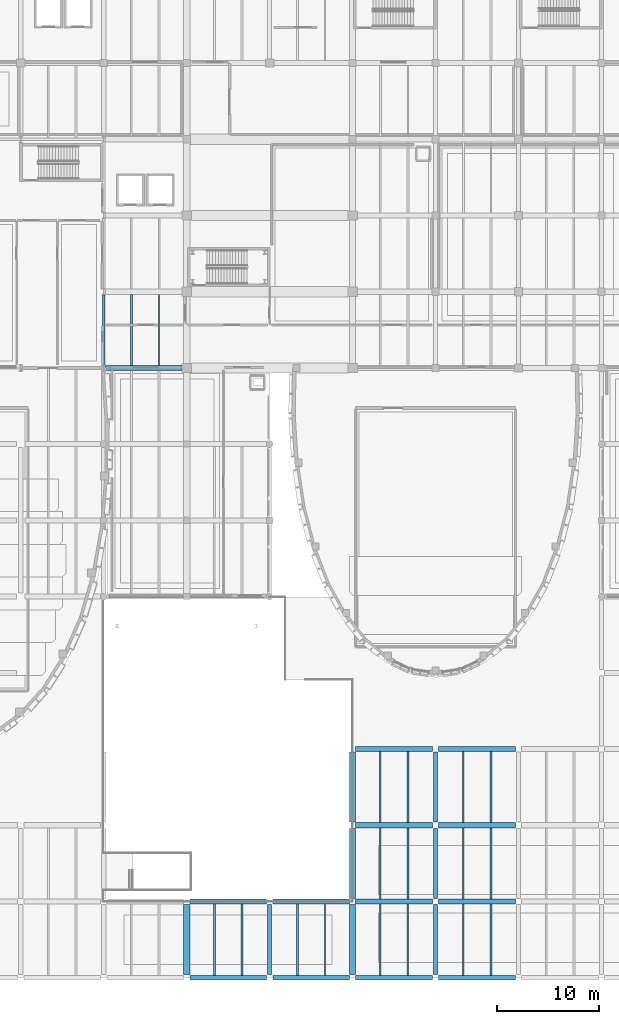
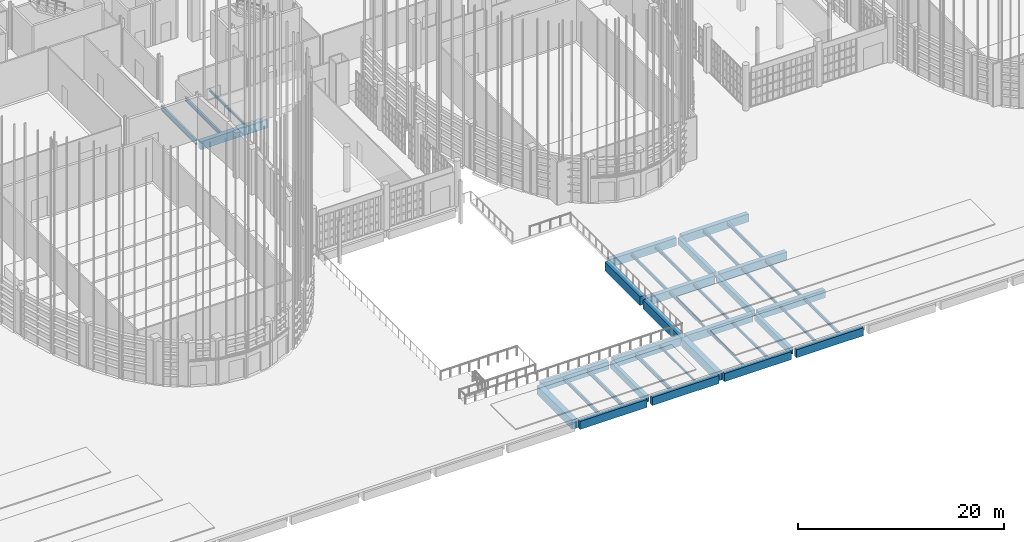
# One storey, part 132 of 372: 40 beams.
"""IFC4 building model written with IfcOpenShell, lengths in metres."""

from ifc_helpers import new_model, si_unit, direction, frame, origin, origin_2d, place, context, subcontext, project, spatial, rectangle, i_section, extrude, material, material_profile, profile_set, type_object, element, save


model = new_model("IFC4")

# Units and contexts
model_context = context("Model", 3, precision=1e-05, world=origin(), true_north=direction((0.0, 1.0)))
body_context = subcontext(model_context, "Body", "Model", "MODEL_VIEW")
ifc_project = project(units=[si_unit("LENGTHUNIT", "METRE"), si_unit("AREAUNIT", "SQUARE_METRE"), si_unit("VOLUMEUNIT", "CUBIC_METRE"), si_unit("PLANEANGLEUNIT", "RADIAN"), si_unit("MASSUNIT", "GRAM", prefix="KILO")], contexts=[model_context])

# Site, building, storey
site_placement = place(None, origin())
site = spatial("IfcSite", under=ifc_project, at=site_placement, CompositionType="ELEMENT")
building_placement = place(site_placement, origin())
building = spatial("IfcBuilding", under=site, at=building_placement, Name="Kaelora Sail Theatre", CompositionType="ELEMENT")
storey_placement = place(building_placement, origin())
storey = spatial("IfcBuildingStorey", under=building, at=storey_placement, Name="L00", CompositionType="ELEMENT", Elevation=0.0)

# Beams
ifc_material_1 = material(Name="Steel S355", Category="steel")
ifc_material_profile_1 = material_profile(ifc_material_1, i_section(OverallWidth=0.18994140625, OverallDepth=0.449951171875, WebThickness=0.009521484375, FlangeThickness=0.0146484375, FilletRadius=0.02099609375, at=origin_2d()), Name="IPE 450")
ifc_profile_set_1 = profile_set([ifc_material_profile_1], Name="Steel S355")
beam_type_1 = type_object("IfcBeamType", Name="STR-BM-BM-IPE450", PredefinedType="BEAM", material=ifc_profile_set_1)
beam_1_placement = place(storey_placement, frame((60.89990234375, 61.27001953125, -0.544921875), z_axis=(0.0, 1.0, 0.0), x_axis=(-1.0, 0.0, 0.0)))
element("IfcBeam", 1, at=beam_1_placement, inside=storey, type_object=beam_type_1, Name="Secondary floor joist 8/I-1 (L00)", PredefinedType="BEAM", context=body_context, shape_type="SweptSolid", body=[
    extrude(i_section(OverallWidth=0.18994140625, OverallDepth=0.449951171875, WebThickness=0.009521484375, FlangeThickness=0.0146484375, FilletRadius=0.02099609375, at=origin_2d()), origin(), (0.0, 0.0, 1.0), 6.93994140625),
])
for number, where, z_axis, x_axis, name in (
    (2, (71.699951171875, 1.72509765625, -0.544921875), (0.0, 1.0, 0.0), (-1.0, 0.0, 0.0), "Secondary floor joist 9/A-2 (L00)"),
    (3, (77.10009765625, 1.72509765625, -0.544921875), (0.0, 1.0, 0.0), (-1.0, 0.0, 0.0), "Secondary floor joist 10/A-1 (L00)"),
):
    element("IfcBeam", number, at=place(storey_placement, frame(where, z_axis=z_axis, x_axis=x_axis)), inside=storey, type_object=beam_type_1, Name=name, PredefinedType="BEAM", context=body_context, shape_type="SweptSolid", body=[
        extrude(i_section(OverallWidth=0.18994140625, OverallDepth=0.449951171875, WebThickness=0.009521484375, FlangeThickness=0.0146484375, FilletRadius=0.02099609375, at=origin_2d()), origin(), (0.0, 0.0, 1.0), 6.96484375),
    ])
ifc_material_2 = material(Name="Steel S355", Category="steel")
ifc_material_profile_2 = material_profile(ifc_material_2, i_section(OverallWidth=0.219970703125, OverallDepth=0.60009765625, WebThickness=0.011962890625, FlangeThickness=0.01904296875, FilletRadius=0.02392578125, at=origin_2d()), Name="IPE 600")
ifc_profile_set_2 = profile_set([ifc_material_profile_2], Name="Steel S355")
beam_type_2 = type_object("IfcBeamType", Name="STR-BM-BM-IPE600", PredefinedType="USERDEFINED", material=ifc_profile_set_2)
beam_2_placement = place(storey_placement, frame((58.199951171875, 61.320068359375, -0.6201171875), z_axis=(0.0, 1.0, 0.0), x_axis=(-1.0, 0.0, 0.0)))
element("IfcBeam", 4, at=beam_2_placement, inside=storey, type_object=beam_type_2, Name="Primary beam 8 I-J (L00)", ObjectType="GIRDER", PredefinedType="USERDEFINED", context=body_context, shape_type="SweptSolid", body=[
    extrude(i_section(OverallWidth=0.219970703125, OverallDepth=0.60009765625, WebThickness=0.011962890625, FlangeThickness=0.01904296875, FilletRadius=0.02392578125, at=origin_2d()), origin(), (0.0, 0.0, 1.0), 6.83984375),
])
ifc_material_3 = material(Name="Concrete C40/50", Category="concrete")
ifc_material_profile_3 = material_profile(ifc_material_3, rectangle(XDim=0.39990234375, YDim=0.75, at=origin_2d()), Name="RC-BM 400x750")
ifc_profile_set_3 = profile_set([ifc_material_profile_3], Name="Concrete C40/50")
beam_type_3 = type_object("IfcBeamType", Name="STR-BM-BM-RC4075", PredefinedType="BEAM", material=ifc_profile_set_3)
for number, where, z_axis, x_axis, name in (
    (5, (74.39990234375, 1.800048828125, -0.695068359375), (0.0, 1.0, 0.0), (-1.0, 0.0, 0.0), "Primary beam 10 A-B (L00)"),
    (6, (90.60009765625, 1.800048828125, -0.695068359375), (0.0, 1.0, 0.0), (-1.0, 0.0, 0.0), "Primary beam 12 A-B (L00)"),
):
    element("IfcBeam", number, at=place(storey_placement, frame(where, z_axis=z_axis, x_axis=x_axis)), inside=storey, type_object=beam_type_3, Name=name, PredefinedType="BEAM", context=body_context, shape_type="SweptSolid", body=[
        extrude(rectangle(XDim=0.39990234375, YDim=0.75, at=origin_2d()), origin(), (0.0, 0.0, 1.0), 6.83984375),
    ])
for number, where, z_axis, x_axis, name in (
    (7, (90.60009765625, 9.239990234375, -0.695068359375), (0.0, 1.0, 0.0), (-1.0, 0.0, 0.0), "Primary beam 12 B-C (L00)"),
    (8, (90.60009765625, 16.679931640625, -0.695068359375), (0.0, 1.0, 0.0), (-1.0, 0.0, 0.0), "Primary beam 12 C-D (L00)"),
):
    element("IfcBeam", number, at=place(storey_placement, frame(where, z_axis=z_axis, x_axis=x_axis)), inside=storey, type_object=beam_type_3, Name=name, PredefinedType="BEAM", context=body_context, shape_type="SweptSolid", body=[
        extrude(rectangle(XDim=0.39990234375, YDim=0.75, at=origin_2d()), origin(), (0.0, 0.0, 1.0), 6.840087890625),
    ])
ifc_material_4 = material(Name="Concrete C45/55", Category="concrete")
ifc_material_profile_4 = material_profile(ifc_material_4, rectangle(XDim=0.5, YDim=0.949951171875, at=origin_2d()), Name="RC-GRD 500x950")
ifc_profile_set_4 = profile_set([ifc_material_profile_4], Name="Concrete C45/55")
beam_type_4 = type_object("IfcBeamType", Name="STR-BM-GR-RC5095", PredefinedType="T_BEAM", material=ifc_profile_set_4)
for number, where, z_axis, x_axis, name in (
    (9, (58.35009765625, 61.02001953125, -0.794921875), (1.0, 0.0, 0.0), (0.0, 1.0, 0.0), "Primary beam I 8-9 (L00)"),
    (10, (66.60009765625, 8.93994140625, -0.794921875), (1.0, 0.0, 0.0), (0.0, 1.0, 0.0), "Primary beam B 9-10 (L00)"),
    (11, (74.699951171875, 8.93994140625, -0.794921875), (1.0, 0.0, 0.0), (0.0, 1.0, 0.0), "Primary beam B 10-11 (L00)"),
    (12, (82.800048828125, 8.93994140625, -0.794921875), (1.0, 0.0, 0.0), (0.0, 1.0, 0.0), "Primary beam B 11-12 (L00)"),
    (13, (82.800048828125, 16.3798828125, -0.794921875), (1.0, 0.0, 0.0), (0.0, 1.0, 0.0), "Primary beam C 11-12 (L00)"),
    (14, (82.800048828125, 23.820068359375, -0.794921875), (1.0, 0.0, 0.0), (0.0, 1.0, 0.0), "Primary beam D 11-12 (L00)"),
    (15, (90.89990234375, 8.93994140625, -0.794921875), (1.0, 0.0, 0.0), (0.0, 1.0, 0.0), "Primary beam B 12-13 (L00)"),
    (16, (90.89990234375, 16.3798828125, -0.794921875), (1.0, 0.0, 0.0), (0.0, 1.0, 0.0), "Primary beam C 12-13 (L00)"),
    (17, (90.89990234375, 23.820068359375, -0.794921875), (1.0, 0.0, 0.0), (0.0, 1.0, 0.0), "Primary beam D 12-13 (L00)"),
):
    element("IfcBeam", number, at=place(storey_placement, frame(where, z_axis=z_axis, x_axis=x_axis)), inside=storey, type_object=beam_type_4, Name=name, PredefinedType="T_BEAM", context=body_context, shape_type="SweptSolid", body=[
        extrude(rectangle(XDim=0.5, YDim=0.949951171875, at=origin_2d()), origin(), (0.0, 0.0, 1.0), 7.5),
    ])
ifc_material_5 = material(Name="Concrete C50/60", Category="concrete")
ifc_material_profile_5 = material_profile(ifc_material_5, rectangle(XDim=0.60009765625, YDim=1.050048828125, at=origin_2d()), Name="RC-GRD 600x1050")
ifc_profile_set_5 = profile_set([ifc_material_profile_5], Name="Concrete C50/60")
beam_type_5 = type_object("IfcBeamType", Name="STR-BM-GR-RC6105", PredefinedType="T_BEAM", material=ifc_profile_set_5)
for number, where, z_axis, x_axis, name in (
    (18, (66.300048828125, 1.800048828125, -0.844970703125), (0.0, 1.0, 0.0), (-1.0, 0.0, 0.0), "Primary beam 9 A-B (L00)"),
    (19, (82.5, 1.800048828125, -0.844970703125), (0.0, 1.0, 0.0), (-1.0, 0.0, 0.0), "Primary beam 11 A-B (L00)"),
):
    element("IfcBeam", number, at=place(storey_placement, frame(where, z_axis=z_axis, x_axis=x_axis)), inside=storey, type_object=beam_type_5, Name=name, PredefinedType="T_BEAM", context=body_context, shape_type="SweptSolid", body=[
        extrude(rectangle(XDim=0.60009765625, YDim=1.050048828125, at=origin_2d()), origin(), (0.0, 0.0, 1.0), 6.83984375),
    ])
for number, where, z_axis, x_axis, name in (
    (20, (82.5, 9.239990234375, -0.844970703125), (0.0, 1.0, 0.0), (-1.0, 0.0, 0.0), "Primary beam 11 B-C (L00)"),
    (21, (82.5, 16.679931640625, -0.844970703125), (0.0, 1.0, 0.0), (-1.0, 0.0, 0.0), "Primary beam 11 C-D (L00)"),
):
    element("IfcBeam", number, at=place(storey_placement, frame(where, z_axis=z_axis, x_axis=x_axis)), inside=storey, type_object=beam_type_5, Name=name, PredefinedType="T_BEAM", context=body_context, shape_type="SweptSolid", body=[
        extrude(rectangle(XDim=0.60009765625, YDim=1.050048828125, at=origin_2d()), origin(), (0.0, 0.0, 1.0), 6.840087890625),
    ])
ifc_material_6 = material(Name="Steel S355", Category="steel")
ifc_material_profile_6 = material_profile(ifc_material_6, i_section(OverallWidth=0.135009765625, OverallDepth=0.27001953125, WebThickness=0.006591796875, FlangeThickness=0.01025390625, FilletRadius=0.014892578125, at=origin_2d()), Name="IPE 270")
ifc_profile_set_6 = profile_set([ifc_material_profile_6], Name="Steel S355")
beam_type_6 = type_object("IfcBeamType", Name="STR-BM-JS-IPE270", PredefinedType="JOIST", material=ifc_profile_set_6)
beam_3_placement = place(storey_placement, frame((63.60009765625, 61.27001953125, -0.455078125), z_axis=(0.0, 1.0, 0.0), x_axis=(-1.0, 0.0, 0.0)))
element("IfcBeam", 22, at=beam_3_placement, inside=storey, type_object=beam_type_6, Name="Secondary floor joist 8/I-2 (L00)", PredefinedType="JOIST", context=body_context, shape_type="SweptSolid", body=[
    extrude(i_section(OverallWidth=0.135009765625, OverallDepth=0.27001953125, WebThickness=0.006591796875, FlangeThickness=0.01025390625, FilletRadius=0.014892578125, at=origin_2d()), origin(), (0.0, 0.0, 1.0), 6.93994140625),
])
for number, where, z_axis, x_axis, name in (
    (23, (79.800048828125, 1.72509765625, -0.455078125), (0.0, 1.0, 0.0), (-1.0, 0.0, 0.0), "Secondary floor joist 10/A-2 (L00)"),
    (24, (85.199951171875, 1.72509765625, -0.455078125), (0.0, 1.0, 0.0), (-1.0, 0.0, 0.0), "Secondary floor joist 11/A-1 (L00)"),
):
    element("IfcBeam", number, at=place(storey_placement, frame(where, z_axis=z_axis, x_axis=x_axis)), inside=storey, type_object=beam_type_6, Name=name, PredefinedType="JOIST", context=body_context, shape_type="SweptSolid", body=[
        extrude(i_section(OverallWidth=0.135009765625, OverallDepth=0.27001953125, WebThickness=0.006591796875, FlangeThickness=0.01025390625, FilletRadius=0.014892578125, at=origin_2d()), origin(), (0.0, 0.0, 1.0), 6.96484375),
    ])
ifc_material_7 = material(Name="Steel S355", Category="steel")
ifc_material_profile_7 = material_profile(ifc_material_7, i_section(OverallWidth=0.14990234375, OverallDepth=0.300048828125, WebThickness=0.007080078125, FlangeThickness=0.0107421875, FilletRadius=0.014892578125, at=origin_2d()), Name="IPE 300")
ifc_profile_set_7 = profile_set([ifc_material_profile_7], Name="Steel S355")
beam_type_7 = type_object("IfcBeamType", Name="STR-BM-JS-IPE300", PredefinedType="JOIST", material=ifc_profile_set_7)
beam_4_placement = place(storey_placement, frame((87.89990234375, 1.72509765625, -0.469970703125), z_axis=(0.0, 1.0, 0.0), x_axis=(-1.0, 0.0, 0.0)))
element("IfcBeam", 25, at=beam_4_placement, inside=storey, type_object=beam_type_7, Name="Secondary floor joist 11/A-2 (L00)", PredefinedType="JOIST", context=body_context, shape_type="SweptSolid", body=[
    extrude(i_section(OverallWidth=0.14990234375, OverallDepth=0.300048828125, WebThickness=0.007080078125, FlangeThickness=0.0107421875, FilletRadius=0.014892578125, at=origin_2d()), origin(), (0.0, 0.0, 1.0), 6.96484375),
])
beam_5_placement = place(storey_placement, frame((85.199951171875, 9.18994140625, -0.469970703125), z_axis=(0.0, 1.0, 0.0), x_axis=(-1.0, 0.0, 0.0)))
element("IfcBeam", 26, at=beam_5_placement, inside=storey, type_object=beam_type_7, Name="Secondary floor joist 11/B-1 (L00)", PredefinedType="JOIST", context=body_context, shape_type="SweptSolid", body=[
    extrude(i_section(OverallWidth=0.14990234375, OverallDepth=0.300048828125, WebThickness=0.007080078125, FlangeThickness=0.0107421875, FilletRadius=0.014892578125, at=origin_2d()), origin(), (0.0, 0.0, 1.0), 6.93994140625),
])
beam_6_placement = place(storey_placement, frame((93.300048828125, 1.72509765625, -0.469970703125), z_axis=(0.0, 1.0, 0.0), x_axis=(-1.0, 0.0, 0.0)))
element("IfcBeam", 27, at=beam_6_placement, inside=storey, type_object=beam_type_7, Name="Secondary floor joist 12/A-1 (L00)", PredefinedType="JOIST", context=body_context, shape_type="SweptSolid", body=[
    extrude(i_section(OverallWidth=0.14990234375, OverallDepth=0.300048828125, WebThickness=0.007080078125, FlangeThickness=0.0107421875, FilletRadius=0.014892578125, at=origin_2d()), origin(), (0.0, 0.0, 1.0), 6.96484375),
])
ifc_material_8 = material(Name="Steel S355", Category="steel")
ifc_material_profile_8 = material_profile(ifc_material_8, i_section(OverallWidth=0.159912109375, OverallDepth=0.330078125, WebThickness=0.007568359375, FlangeThickness=0.011474609375, FilletRadius=0.01806640625, at=origin_2d()), Name="IPE 330")
ifc_profile_set_8 = profile_set([ifc_material_profile_8], Name="Steel S355")
beam_type_8 = type_object("IfcBeamType", Name="STR-BM-JS-IPE330", PredefinedType="JOIST", material=ifc_profile_set_8)
beam_7_placement = place(storey_placement, frame((87.89990234375, 9.18994140625, -0.485107421875), z_axis=(0.0, 1.0, 0.0), x_axis=(-1.0, 0.0, 0.0)))
element("IfcBeam", 28, at=beam_7_placement, inside=storey, type_object=beam_type_8, Name="Secondary floor joist 11/B-2 (L00)", PredefinedType="JOIST", context=body_context, shape_type="SweptSolid", body=[
    extrude(i_section(OverallWidth=0.159912109375, OverallDepth=0.330078125, WebThickness=0.007568359375, FlangeThickness=0.011474609375, FilletRadius=0.01806640625, at=origin_2d()), origin(), (0.0, 0.0, 1.0), 6.93994140625),
])
beam_8_placement = place(storey_placement, frame((85.199951171875, 16.6298828125, -0.485107421875), z_axis=(0.0, 1.0, 0.0), x_axis=(-1.0, 0.0, 0.0)))
element("IfcBeam", 29, at=beam_8_placement, inside=storey, type_object=beam_type_8, Name="Secondary floor joist 11/C-1 (L00)", PredefinedType="JOIST", context=body_context, shape_type="SweptSolid", body=[
    extrude(i_section(OverallWidth=0.159912109375, OverallDepth=0.330078125, WebThickness=0.007568359375, FlangeThickness=0.011474609375, FilletRadius=0.01806640625, at=origin_2d()), origin(), (0.0, 0.0, 1.0), 6.940185546875),
])
beam_9_placement = place(storey_placement, frame((96.0, 1.72509765625, -0.485107421875), z_axis=(0.0, 1.0, 0.0), x_axis=(-1.0, 0.0, 0.0)))
element("IfcBeam", 30, at=beam_9_placement, inside=storey, type_object=beam_type_8, Name="Secondary floor joist 12/A-2 (L00)", PredefinedType="JOIST", context=body_context, shape_type="SweptSolid", body=[
    extrude(i_section(OverallWidth=0.159912109375, OverallDepth=0.330078125, WebThickness=0.007568359375, FlangeThickness=0.011474609375, FilletRadius=0.01806640625, at=origin_2d()), origin(), (0.0, 0.0, 1.0), 6.96484375),
])
beam_10_placement = place(storey_placement, frame((93.300048828125, 9.18994140625, -0.485107421875), z_axis=(0.0, 1.0, 0.0), x_axis=(-1.0, 0.0, 0.0)))
element("IfcBeam", 31, at=beam_10_placement, inside=storey, type_object=beam_type_8, Name="Secondary floor joist 12/B-1 (L00)", PredefinedType="JOIST", context=body_context, shape_type="SweptSolid", body=[
    extrude(i_section(OverallWidth=0.159912109375, OverallDepth=0.330078125, WebThickness=0.007568359375, FlangeThickness=0.011474609375, FilletRadius=0.01806640625, at=origin_2d()), origin(), (0.0, 0.0, 1.0), 6.93994140625),
])
ifc_material_9 = material(Name="Steel S355", Category="steel")
ifc_material_profile_9 = material_profile(ifc_material_9, i_section(OverallWidth=0.169921875, OverallDepth=0.360107421875, WebThickness=0.008056640625, FlangeThickness=0.0126953125, FilletRadius=0.01806640625, at=origin_2d()), Name="IPE 360")
ifc_profile_set_9 = profile_set([ifc_material_profile_9], Name="Steel S355")
beam_type_9 = type_object("IfcBeamType", Name="STR-BM-JS-IPE360", PredefinedType="JOIST", material=ifc_profile_set_9)
beam_11_placement = place(storey_placement, frame((87.89990234375, 16.6298828125, -0.5), z_axis=(0.0, 1.0, 0.0), x_axis=(-1.0, 0.0, 0.0)))
element("IfcBeam", 32, at=beam_11_placement, inside=storey, type_object=beam_type_9, Name="Secondary floor joist 11/C-2 (L00)", PredefinedType="JOIST", context=body_context, shape_type="SweptSolid", body=[
    extrude(i_section(OverallWidth=0.169921875, OverallDepth=0.360107421875, WebThickness=0.008056640625, FlangeThickness=0.0126953125, FilletRadius=0.01806640625, at=origin_2d()), origin(), (0.0, 0.0, 1.0), 6.940185546875),
])
beam_12_placement = place(storey_placement, frame((96.0, 9.18994140625, -0.5), z_axis=(0.0, 1.0, 0.0), x_axis=(-1.0, 0.0, 0.0)))
element("IfcBeam", 33, at=beam_12_placement, inside=storey, type_object=beam_type_9, Name="Secondary floor joist 12/B-2 (L00)", PredefinedType="JOIST", context=body_context, shape_type="SweptSolid", body=[
    extrude(i_section(OverallWidth=0.169921875, OverallDepth=0.360107421875, WebThickness=0.008056640625, FlangeThickness=0.0126953125, FilletRadius=0.01806640625, at=origin_2d()), origin(), (0.0, 0.0, 1.0), 6.93994140625),
])
beam_13_placement = place(storey_placement, frame((93.300048828125, 16.6298828125, -0.5), z_axis=(0.0, 1.0, 0.0), x_axis=(-1.0, 0.0, 0.0)))
element("IfcBeam", 34, at=beam_13_placement, inside=storey, type_object=beam_type_9, Name="Secondary floor joist 12/C-1 (L00)", PredefinedType="JOIST", context=body_context, shape_type="SweptSolid", body=[
    extrude(i_section(OverallWidth=0.169921875, OverallDepth=0.360107421875, WebThickness=0.008056640625, FlangeThickness=0.0126953125, FilletRadius=0.01806640625, at=origin_2d()), origin(), (0.0, 0.0, 1.0), 6.940185546875),
])
ifc_material_10 = material(Name="Steel S355", Category="steel")
ifc_material_profile_10 = material_profile(ifc_material_10, i_section(OverallWidth=0.179931640625, OverallDepth=0.39990234375, WebThickness=0.008544921875, FlangeThickness=0.013427734375, FilletRadius=0.02099609375, at=origin_2d()), Name="IPE 400")
ifc_profile_set_10 = profile_set([ifc_material_profile_10], Name="Steel S355")
beam_type_10 = type_object("IfcBeamType", Name="STR-BM-JS-IPE400", PredefinedType="JOIST", material=ifc_profile_set_10)
beam_14_placement = place(storey_placement, frame((69.0, 1.72509765625, -0.52001953125), z_axis=(0.0, 1.0, 0.0), x_axis=(-1.0, 0.0, 0.0)))
element("IfcBeam", 35, at=beam_14_placement, inside=storey, type_object=beam_type_10, Name="Secondary floor joist 9/A-1 (L00)", PredefinedType="JOIST", context=body_context, shape_type="SweptSolid", body=[
    extrude(i_section(OverallWidth=0.179931640625, OverallDepth=0.39990234375, WebThickness=0.008544921875, FlangeThickness=0.013427734375, FilletRadius=0.02099609375, at=origin_2d()), origin(), (0.0, 0.0, 1.0), 6.96484375),
])
beam_15_placement = place(storey_placement, frame((96.0, 16.6298828125, -0.52001953125), z_axis=(0.0, 1.0, 0.0), x_axis=(-1.0, 0.0, 0.0)))
element("IfcBeam", 36, at=beam_15_placement, inside=storey, type_object=beam_type_10, Name="Secondary floor joist 12/C-2 (L00)", PredefinedType="JOIST", context=body_context, shape_type="SweptSolid", body=[
    extrude(i_section(OverallWidth=0.179931640625, OverallDepth=0.39990234375, WebThickness=0.008544921875, FlangeThickness=0.013427734375, FilletRadius=0.02099609375, at=origin_2d()), origin(), (0.0, 0.0, 1.0), 6.940185546875),
])
ifc_material_11 = material(Name="Concrete C45/55", Category="concrete")
ifc_material_profile_11 = material_profile(ifc_material_11, rectangle(XDim=0.449951171875, YDim=0.949951171875, at=origin_2d()), Name="RC-SPN 450x950")
ifc_profile_set_11 = profile_set([ifc_material_profile_11], Name="Concrete C45/55")
beam_type_11 = type_object("IfcBeamType", Name="STR-BM-SP-RC4595", PredefinedType="SPANDREL", material=ifc_profile_set_11)
for number, where, z_axis, x_axis, name in (
    (37, (66.60009765625, 1.5, -0.794921875), (1.0, 0.0, 0.0), (0.0, 1.0, 0.0), "Primary beam A 9-10 (L00)"),
    (38, (74.699951171875, 1.5, -0.794921875), (1.0, 0.0, 0.0), (0.0, 1.0, 0.0), "Primary beam A 10-11 (L00)"),
    (39, (82.800048828125, 1.5, -0.794921875), (1.0, 0.0, 0.0), (0.0, 1.0, 0.0), "Primary beam A 11-12 (L00)"),
    (40, (90.89990234375, 1.5, -0.794921875), (1.0, 0.0, 0.0), (0.0, 1.0, 0.0), "Primary beam A 12-13 (L00)"),
):
    element("IfcBeam", number, at=place(storey_placement, frame(where, z_axis=z_axis, x_axis=x_axis)), inside=storey, type_object=beam_type_11, Name=name, PredefinedType="SPANDREL", context=body_context, shape_type="SweptSolid", body=[
        extrude(rectangle(XDim=0.449951171875, YDim=0.949951171875, at=origin_2d()), origin(), (0.0, 0.0, 1.0), 7.5),
    ])

save(model, "model.ifc")
